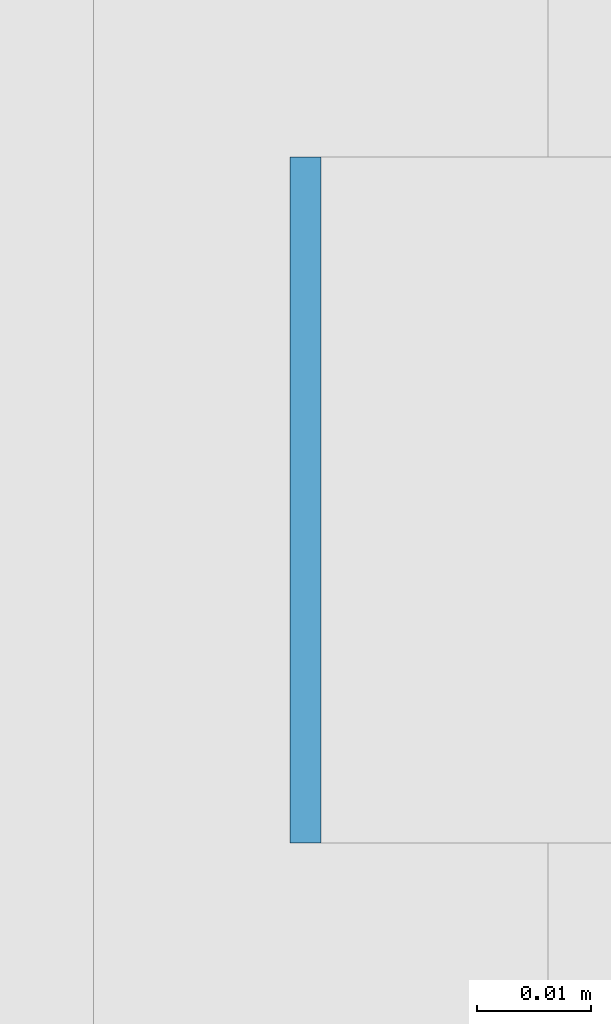
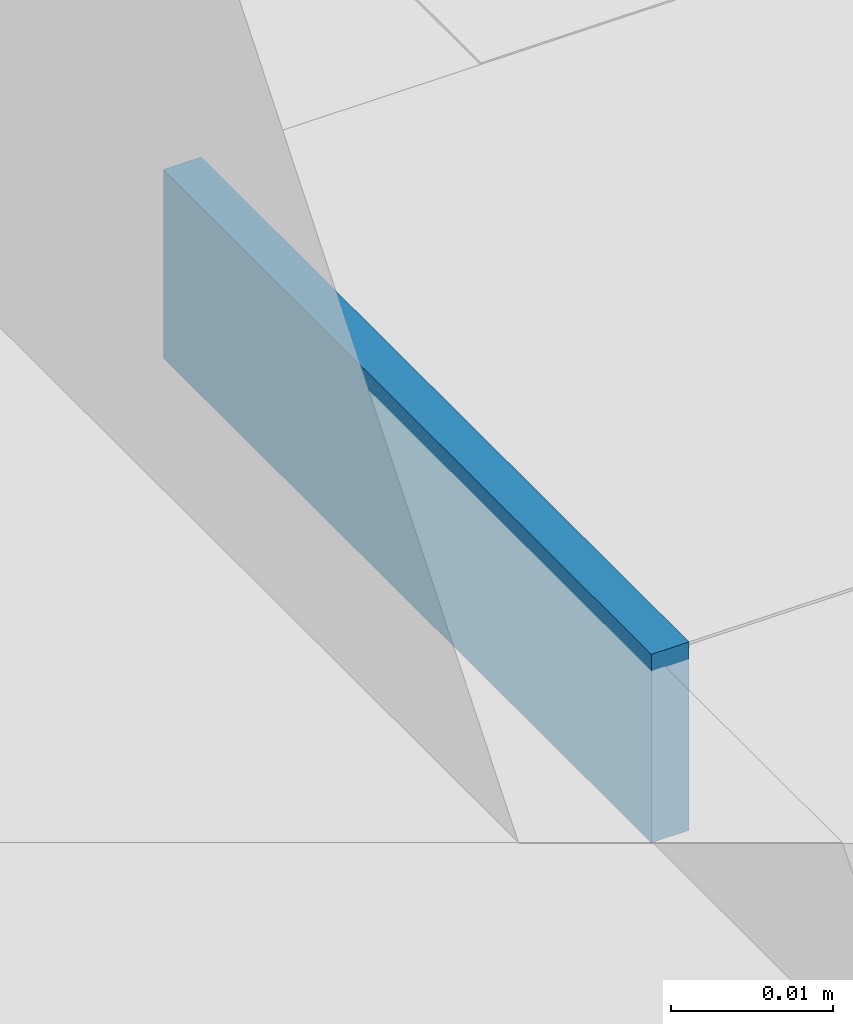
# One storey, part 549 of 646: 1 discrete accessory.
"""IFC4 building model written with IfcOpenShell, lengths in metres."""

from ifc_helpers import new_model, si_unit, direction, frame, origin, origin_2d, place, context, subcontext, project, spatial, rectangle, extrude, material, type_object, element, save


model = new_model("IFC4")

# Units and contexts
model_context = context("Model", 3, precision=1e-05, world=origin(), true_north=direction((0.0, 1.0)))
body_context = subcontext(model_context, "Body", "Model", "MODEL_VIEW")
ifc_project = project(units=[si_unit("LENGTHUNIT", "METRE"), si_unit("AREAUNIT", "SQUARE_METRE"), si_unit("VOLUMEUNIT", "CUBIC_METRE"), si_unit("PLANEANGLEUNIT", "RADIAN"), si_unit("MASSUNIT", "GRAM", prefix="KILO")], contexts=[model_context])

# Site, building, storey
site_placement = place(None, origin())
site = spatial("IfcSite", under=ifc_project, at=site_placement, CompositionType="ELEMENT")
building_placement = place(site_placement, origin())
building = spatial("IfcBuilding", under=site, at=building_placement, Name="Silverbay Arena", CompositionType="ELEMENT")
storey_placement = place(building_placement, frame((0.0, 0.0, 33.5)))
storey = spatial("IfcBuildingStorey", under=building, at=storey_placement, Name="L05", CompositionType="ELEMENT", Elevation=33.5)

# Discrete accessory
ifc_material = material(Name="Steel S355", Category="steel")
discrete_accessory_type = type_object("IfcDiscreteAccessoryType", Name="Steel bracket plate", PredefinedType="BRACKET", material=ifc_material)
discrete_accessory_placement = place(storey_placement, frame((207.128662109375, 95.142822265625, 12.98583984375), z_axis=(0.0, 0.0, 1.0), x_axis=(1.0, 0.0, 0.0)))
element("IfcDiscreteAccessory", 1, at=discrete_accessory_placement, inside=storey, type_object=discrete_accessory_type, Name="Curtain wall packing plate", PredefinedType="BRACKET", context=body_context, shape_type="SweptSolid", body=[
    extrude(rectangle(XDim=0.002685546875, YDim=0.06005859375, at=origin_2d()), origin(), (0.0, 0.0, 1.0), 0.01416015625),
])

save(model, "model.ifc")
